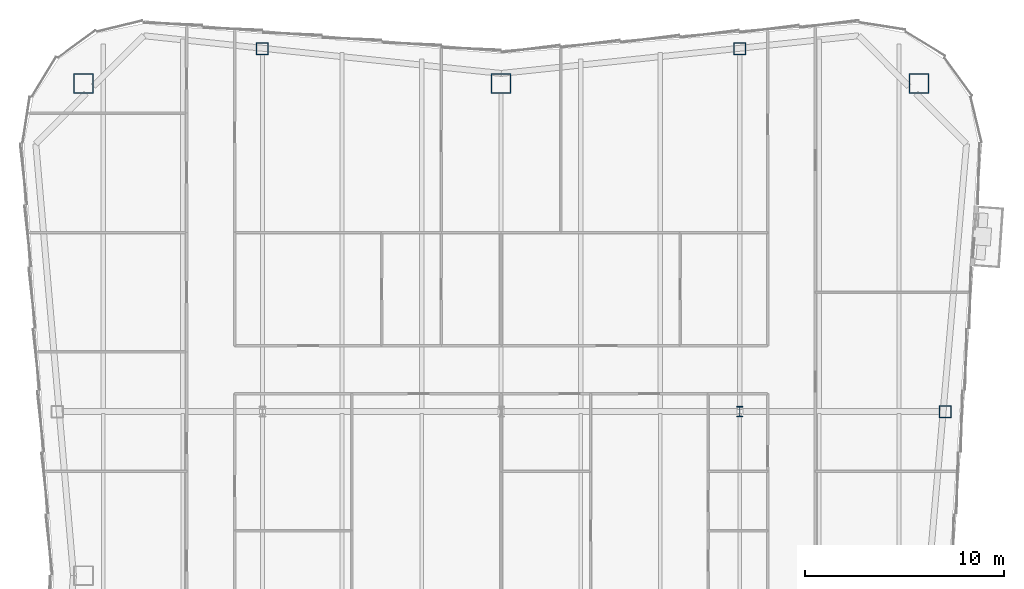
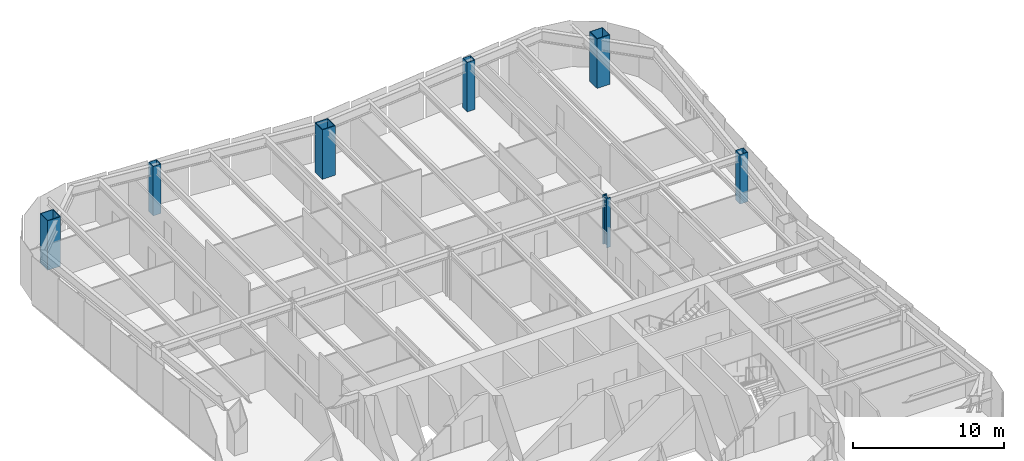
# One storey, part 2 of 12: 7 columns.
"""IFC4 building model written with IfcOpenShell, lengths in metres."""

from ifc_helpers import new_model, si_unit, direction, frame, origin, origin_2d, place, context, subcontext, project, spatial, hollow_rectangle, i_section, extrude, material, material_profile, profile_set, type_object, element, save


model = new_model("IFC4")

# Units and contexts
model_context = context("Model", 3, precision=1e-05, world=origin(), true_north=direction((0.0, 1.0)))
body_context = subcontext(model_context, "Body", "Model", "MODEL_VIEW")
ifc_project = project(units=[si_unit("LENGTHUNIT", "METRE"), si_unit("AREAUNIT", "SQUARE_METRE"), si_unit("VOLUMEUNIT", "CUBIC_METRE"), si_unit("PLANEANGLEUNIT", "RADIAN"), si_unit("MASSUNIT", "GRAM", prefix="KILO")], contexts=[model_context])

# Site, building, storey
site_placement = place(None, origin())
site = spatial("IfcSite", under=ifc_project, at=site_placement, CompositionType="ELEMENT")
building_placement = place(site_placement, origin())
building = spatial("IfcBuilding", under=site, at=building_placement, Name="Verdant Reach Tower", CompositionType="ELEMENT")
storey_placement = place(building_placement, frame((0.0, 0.0, 266.0)))
storey = spatial("IfcBuildingStorey", under=building, at=storey_placement, Name="L61", CompositionType="ELEMENT", Elevation=266.0)

# Columns
ifc_material = material(Name="Steel S460", Category="steel")
ifc_material_profile_1 = material_profile(ifc_material, i_section(OverallWidth=0.305908203125, OverallDepth=0.52392578125, WebThickness=0.012451171875, FlangeThickness=0.0400390625, FilletRadius=0.027099609375, at=origin_2d()), Name="HEM 500")
ifc_profile_set_1 = profile_set([ifc_material_profile_1], Name="Steel S460")
column_type_1 = type_object("IfcColumnType", Name="ST-COL-HEM500", PredefinedType="COLUMN", material=ifc_profile_set_1)
column_placement = place(storey_placement, frame((12.0, 49.5, 0.0), z_axis=(0.0, 0.0, 1.0), x_axis=(1.0, 0.0, 0.0)))
element("IfcColumn", 1, at=column_placement, inside=storey, type_object=column_type_1, Name="Interior column 3, L61", PredefinedType="COLUMN", context=body_context, shape_type="SweptSolid", body=[
    extrude(i_section(OverallWidth=0.305908203125, OverallDepth=0.52392578125, WebThickness=0.012451171875, FlangeThickness=0.0400390625, FilletRadius=0.027099609375, at=origin_2d()), origin(), (0.0, 0.0, 1.0), 4.0),
])
ifc_material_profile_2 = material_profile(ifc_material, hollow_rectangle(XDim=1.0, YDim=1.0, WallThickness=0.044921875, at=origin_2d()), Name="WB 1000x1000x45")
ifc_profile_set_2 = profile_set([ifc_material_profile_2], Name="Steel S460")
column_type_2 = type_object("IfcColumnType", Name="ST-COL-WB1000x1000x45", PredefinedType="COLUMN", material=ifc_profile_set_2)
for number, where, z_axis, x_axis, name in (
    (2, (-21.0, 66.0, 0.0), (0.0, 0.0, 1.0), (1.0, 0.0, 0.0), "Mega column north-west, L61"),
    (3, (0.0, 66.0, 0.0), (0.0, 0.0, 1.0), (1.0, 0.0, 0.0), "Mega column north, L61"),
    (4, (21.0, 66.0, 0.0), (0.0, 0.0, 1.0), (1.0, 0.0, 0.0), "Mega column north-east, L61"),
):
    element("IfcColumn", number, at=place(storey_placement, frame(where, z_axis=z_axis, x_axis=x_axis)), inside=storey, type_object=column_type_2, Name=name, PredefinedType="COLUMN", context=body_context, shape_type="SweptSolid", body=[
        extrude(hollow_rectangle(XDim=1.0, YDim=1.0, WallThickness=0.044921875, at=origin_2d()), origin(), (0.0, 0.0, 1.0), 4.0),
    ])
ifc_material_profile_3 = material_profile(ifc_material, hollow_rectangle(XDim=0.60009765625, YDim=0.60009765625, WallThickness=0.02490234375, at=origin_2d()), Name="WB 600x600x25")
ifc_profile_set_3 = profile_set([ifc_material_profile_3], Name="Steel S460")
column_type_3 = type_object("IfcColumnType", Name="ST-COL-WB600x600x25", PredefinedType="COLUMN", material=ifc_profile_set_3)
for number, where, z_axis, x_axis, name in (
    (5, (-12.0, 67.75, 0.0), (0.0, 0.0, 1.0), (1.0, 0.0, 0.0), "Perimeter column north 1, L61"),
    (6, (12.0, 67.75, 0.0), (0.0, 0.0, 1.0), (1.0, 0.0, 0.0), "Perimeter column north 2, L61"),
    (7, (22.319091796875, 49.5, 0.0), (0.0, 0.0, 1.0), (1.0, 0.0, 0.0), "Perimeter column east 2, L61"),
):
    element("IfcColumn", number, at=place(storey_placement, frame(where, z_axis=z_axis, x_axis=x_axis)), inside=storey, type_object=column_type_3, Name=name, PredefinedType="COLUMN", context=body_context, shape_type="SweptSolid", body=[
        extrude(hollow_rectangle(XDim=0.60009765625, YDim=0.60009765625, WallThickness=0.02490234375, at=origin_2d()), origin(), (0.0, 0.0, 1.0), 4.0),
    ])

save(model, "model.ifc")
